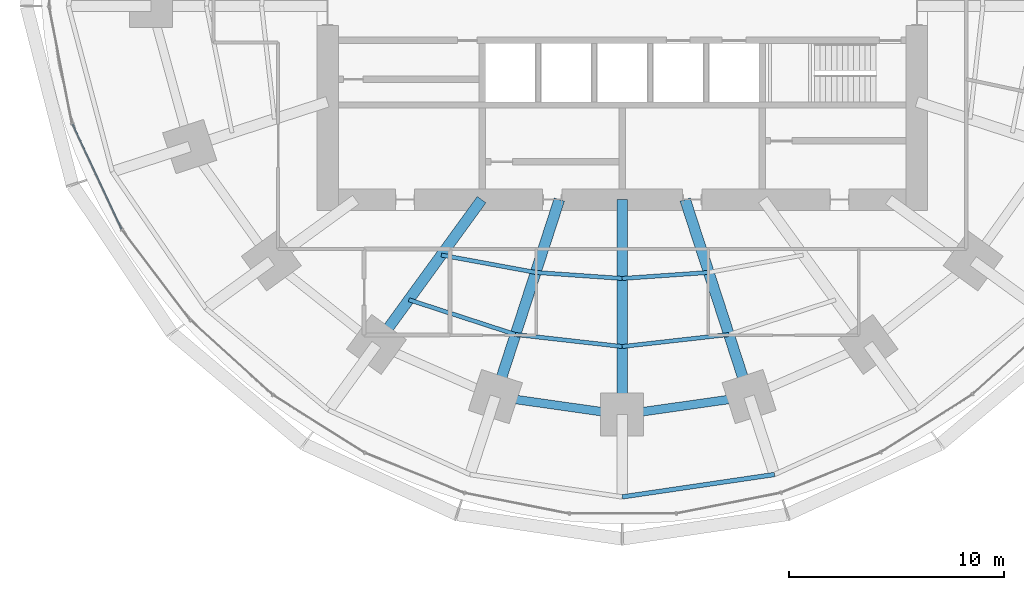
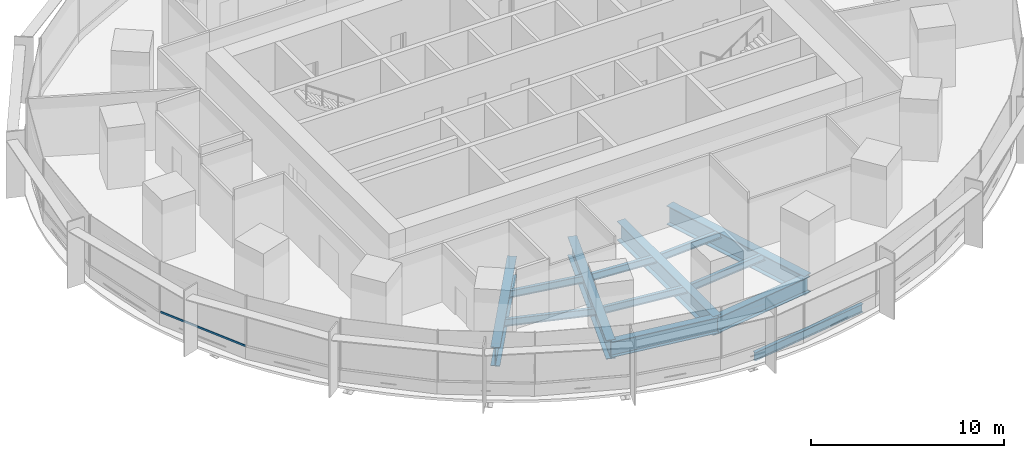
# One storey, part 3 of 15: 13 beams, 1 member, 1 element without a shape of its own.
"""IFC4 building model written with IfcOpenShell, lengths in metres."""

from ifc_helpers import new_model, si_unit, direction, frame, origin, origin_2d, place, context, subcontext, project, spatial, rectangle, i_section, extrude, material, material_profile, profile_set, type_object, element, aggregate, save


model = new_model("IFC4")

# Units and contexts
model_context = context("Model", 3, precision=1e-05, world=origin(), true_north=direction((0.0, 1.0)))
body_context = subcontext(model_context, "Body", "Model", "MODEL_VIEW")
ifc_project = project(units=[si_unit("LENGTHUNIT", "METRE"), si_unit("AREAUNIT", "SQUARE_METRE"), si_unit("VOLUMEUNIT", "CUBIC_METRE"), si_unit("PLANEANGLEUNIT", "RADIAN"), si_unit("MASSUNIT", "GRAM", prefix="KILO")], contexts=[model_context])

# Site, building, storey
site_placement = place(None, origin())
site = spatial("IfcSite", under=ifc_project, at=site_placement, CompositionType="ELEMENT")
building_placement = place(site_placement, origin())
building = spatial("IfcBuilding", under=site, at=building_placement, Name="Marramba Exchange Tower", CompositionType="ELEMENT")
storey_placement = place(building_placement, frame((0.0, 0.0, 40.60009765625)))
storey = spatial("IfcBuildingStorey", under=building, at=storey_placement, Name="L09", CompositionType="ELEMENT", Elevation=40.60009765625)

# Beams
ifc_material_1 = material(Name="Steel AS/NZS 3679.1 grade 300", Category="steel")
ifc_material_profile_1 = material_profile(ifc_material_1, i_section(OverallWidth=0.18994140625, OverallDepth=0.4541015625, WebThickness=0.008544921875, FlangeThickness=0.0126953125, FilletRadius=0.011474609375, at=origin_2d()), Name="460UB67.1")
ifc_profile_set_1 = profile_set([ifc_material_profile_1], Name="Steel AS/NZS 3679.1 grade 300")
beam_type_1 = type_object("IfcBeamType", Name="Floor joist 460UB67.1", PredefinedType="JOIST", material=ifc_profile_set_1)
beam_1_placement = place(storey_placement, frame((-8.41162109375, -11.57763671875, -0.38720703125), z_axis=(0.983455754421, -0.181148500119, 0.0), x_axis=(0.181148500119, 0.983455754421, 0.0)))
element("IfcBeam", 1, at=beam_1_placement, inside=storey, type_object=beam_type_1, Name="Joist L09 bay 14 row 1", PredefinedType="JOIST", context=body_context, shape_type="SweptSolid", body=[
    extrude(i_section(OverallWidth=0.18994140625, OverallDepth=0.4541015625, WebThickness=0.008544921875, FlangeThickness=0.0126953125, FilletRadius=0.011474609375, at=origin_2d()), origin(), (0.0, 0.0, 1.0), 4.4609375),
])
beam_2_placement = place(storey_placement, frame((-9.9208984375, -13.655029296875, -0.38720703125), z_axis=(0.950764024931, -0.309915744834, 0.0), x_axis=(0.309915744834, 0.950764024931, 0.0)))
element("IfcBeam", 2, at=beam_2_placement, inside=storey, type_object=beam_type_1, Name="Joist L09 bay 14 row 2", PredefinedType="JOIST", context=body_context, shape_type="SweptSolid", body=[
    extrude(i_section(OverallWidth=0.18994140625, OverallDepth=0.4541015625, WebThickness=0.008544921875, FlangeThickness=0.0126953125, FilletRadius=0.011474609375, at=origin_2d()), origin(), (0.0, 0.0, 1.0), 5.2158203125),
])
beam_3_placement = place(storey_placement, frame((-4.0244140625, -12.3857421875, -0.38720703125), z_axis=(0.99759625901, -0.069294328838, 0.0), x_axis=(0.069294328838, 0.99759625901, 0.0)))
element("IfcBeam", 3, at=beam_3_placement, inside=storey, type_object=beam_type_1, Name="Joist L09 bay 15 row 1", PredefinedType="JOIST", context=body_context, shape_type="SweptSolid", body=[
    extrude(i_section(OverallWidth=0.18994140625, OverallDepth=0.4541015625, WebThickness=0.008544921875, FlangeThickness=0.0126953125, FilletRadius=0.011474609375, at=origin_2d()), origin(), (0.0, 0.0, 1.0), 4.0341796875),
])
beam_4_placement = place(storey_placement, frame((-4.9619140625, -15.271484375, -0.38720703125), z_axis=(0.993712018573, -0.111966174106, 0.0), x_axis=(0.111966174106, 0.993712018573, 0.0)))
element("IfcBeam", 4, at=beam_4_placement, inside=storey, type_object=beam_type_1, Name="Joist L09 bay 15 row 2", PredefinedType="JOIST", context=body_context, shape_type="SweptSolid", body=[
    extrude(i_section(OverallWidth=0.18994140625, OverallDepth=0.4541015625, WebThickness=0.008544921875, FlangeThickness=0.0126953125, FilletRadius=0.011474609375, at=origin_2d()), origin(), (0.0, 0.0, 1.0), 4.993408203125),
])
beam_5_placement = place(storey_placement, frame((0.0, -12.665283203125, -0.38720703125), z_axis=(0.99759625901, 0.069294328838, 0.0), x_axis=(-0.069294328838, 0.99759625901, 0.0)))
element("IfcBeam", 5, at=beam_5_placement, inside=storey, type_object=beam_type_1, Name="Joist L09 bay 16 row 1", PredefinedType="JOIST", context=body_context, shape_type="SweptSolid", body=[
    extrude(i_section(OverallWidth=0.18994140625, OverallDepth=0.4541015625, WebThickness=0.008544921875, FlangeThickness=0.0126953125, FilletRadius=0.011474609375, at=origin_2d()), origin(), (0.0, 0.0, 1.0), 4.0341796875),
])
beam_6_placement = place(storey_placement, frame((0.0, -15.83056640625, -0.38720703125), z_axis=(0.993712018573, 0.111966174106, 0.0), x_axis=(-0.111966174106, 0.993712018573, 0.0)))
element("IfcBeam", 6, at=beam_6_placement, inside=storey, type_object=beam_type_1, Name="Joist L09 bay 16 row 2", PredefinedType="JOIST", context=body_context, shape_type="SweptSolid", body=[
    extrude(i_section(OverallWidth=0.18994140625, OverallDepth=0.4541015625, WebThickness=0.008544921875, FlangeThickness=0.0126953125, FilletRadius=0.011474609375, at=origin_2d()), origin(), (0.0, 0.0, 1.0), 4.993408203125),
])
ifc_material_2 = material(Name="Steel AS/NZS 3679.2 grade 300", Category="steel")
ifc_material_profile_2 = material_profile(ifc_material_2, i_section(OverallWidth=0.5, OverallDepth=1.199951171875, WebThickness=0.01611328125, FlangeThickness=0.0400390625, at=origin_2d()), Name="1200WB455")
ifc_profile_set_2 = profile_set([ifc_material_profile_2], Name="Steel AS/NZS 3679.2 grade 300")
beam_type_2 = type_object("IfcBeamType", Name="Radial girder 1200WB455", PredefinedType="BEAM", material=ifc_profile_set_2)
beam_7_placement = place(storey_placement, frame((-6.538818359375, -9.0, -0.760009765625), z_axis=(-0.587787877172, -0.809015087282, 0.0), x_axis=(0.809015087282, -0.587787877172, 0.0)))
element("IfcBeam", 7, at=beam_7_placement, inside=storey, type_object=beam_type_2, Name="Radial girder L09 TC14", PredefinedType="BEAM", context=body_context, shape_type="SweptSolid", body=[
    extrude(i_section(OverallWidth=0.5, OverallDepth=1.199951171875, WebThickness=0.01611328125, FlangeThickness=0.0400390625, at=origin_2d()), origin(), (0.0, 0.0, 1.0), 8.322021484375),
])
beam_8_placement = place(storey_placement, frame((-2.92431640625, -9.0, -0.760009765625), z_axis=(-0.309022428985, -0.951054750466, 0.0), x_axis=(0.951054750466, -0.309022428985, 0.0)))
element("IfcBeam", 8, at=beam_8_placement, inside=storey, type_object=beam_type_2, Name="Radial girder L09 TC15", PredefinedType="BEAM", context=body_context, shape_type="SweptSolid", body=[
    extrude(i_section(OverallWidth=0.5, OverallDepth=1.199951171875, WebThickness=0.01611328125, FlangeThickness=0.0400390625, at=origin_2d()), origin(), (0.0, 0.0, 1.0), 9.628173828125),
])
beam_9_placement = place(storey_placement, frame((0.0, -9.0, -0.760009765625), z_axis=(0.0, -1.0, 0.0), x_axis=(1.0, 0.0, 0.0)))
element("IfcBeam", 9, at=beam_9_placement, inside=storey, type_object=beam_type_2, Name="Radial girder L09 TC16", PredefinedType="BEAM", context=body_context, shape_type="SweptSolid", body=[
    extrude(i_section(OverallWidth=0.5, OverallDepth=1.199951171875, WebThickness=0.01611328125, FlangeThickness=0.0400390625, at=origin_2d()), origin(), (0.0, 0.0, 1.0), 9.99609375),
])
beam_10_placement = place(storey_placement, frame((2.92431640625, -9.0, -0.760009765625), z_axis=(0.309022428985, -0.951054750466, 0.0), x_axis=(0.951054750466, 0.309022428985, 0.0)))
element("IfcBeam", 10, at=beam_10_placement, inside=storey, type_object=beam_type_2, Name="Radial girder L09 TC17", PredefinedType="BEAM", context=body_context, shape_type="SweptSolid", body=[
    extrude(i_section(OverallWidth=0.5, OverallDepth=1.199951171875, WebThickness=0.01611328125, FlangeThickness=0.0400390625, at=origin_2d()), origin(), (0.0, 0.0, 1.0), 9.628173828125),
])
ifc_material_profile_3 = material_profile(ifc_material_2, i_section(OverallWidth=0.39990234375, OverallDepth=1.0, WebThickness=0.01611328125, FlangeThickness=0.031982421875, at=origin_2d()), Name="1000WB322")
ifc_profile_set_3 = profile_set([ifc_material_profile_3], Name="Steel AS/NZS 3679.2 grade 300")
beam_type_3 = type_object("IfcBeamType", Name="Ring beam 1000WB322", PredefinedType="SPANDREL", material=ifc_profile_set_3)
for number, where, z_axis, x_axis, name in (
    (11, (-5.899658203125, -18.156982421875, -0.66015625), (0.990036163016, -0.140813337152, 0.0), (0.140813337152, 0.990036163016, 0.0), "Ring beam L09 TC15-TC16"),
    (12, (0.0, -18.99609375, -0.66015625), (0.990036163016, 0.140813337152, 0.0), (-0.140813337152, 0.990036163016, 0.0), "Ring beam L09 TC16-TC17"),
):
    element("IfcBeam", number, at=place(storey_placement, frame(where, z_axis=z_axis, x_axis=x_axis)), inside=storey, type_object=beam_type_3, Name=name, PredefinedType="SPANDREL", context=body_context, shape_type="SweptSolid", body=[
        extrude(i_section(OverallWidth=0.39990234375, OverallDepth=1.0, WebThickness=0.01611328125, FlangeThickness=0.031982421875, at=origin_2d()), origin(), (0.0, 0.0, 1.0), 5.958984375),
    ])
ifc_material_profile_4 = material_profile(ifc_material_1, i_section(OverallWidth=0.208984375, OverallDepth=0.528076171875, WebThickness=0.009521484375, FlangeThickness=0.01318359375, FilletRadius=0.013916015625, at=origin_2d()), Name="530UB82.0")
ifc_profile_set_4 = profile_set([ifc_material_profile_4], Name="Steel AS/NZS 3679.1 grade 300")
beam_type_4 = type_object("IfcBeamType", Name="Slab edge beam 530UB82.0", PredefinedType="SPANDREL", material=ifc_profile_set_4)
beam_11_placement = place(storey_placement, frame((0.0, -22.822021484375, -0.424072265625), z_axis=(0.989338462178, 0.145634498848, 0.0), x_axis=(-0.145634498848, 0.989338462178, 0.0)))
element("IfcBeam", 13, at=beam_11_placement, inside=storey, type_object=beam_type_4, Name="Slab edge beam L09 TC16-TC17", PredefinedType="SPANDREL", context=body_context, shape_type="SweptSolid", body=[
    extrude(i_section(OverallWidth=0.208984375, OverallDepth=0.528076171875, WebThickness=0.009521484375, FlangeThickness=0.01318359375, FilletRadius=0.013916015625, at=origin_2d()), origin(), (0.0, 0.0, 1.0), 7.153076171875),
])

# Curtain wall, member
ifc_material_3 = material(Name="Aluminium framing, bronze anodised", Category="aluminium")
curtain_wall_type = type_object("IfcCurtainWallType", Name="Trading floor ribbon curtain wall", PredefinedType="USERDEFINED", material=ifc_material_3)
curtain_wall_placement = place(storey_placement, origin())
curtain_wall = element("IfcCurtainWall", 14, at=curtain_wall_placement, inside=storey, type_object=curtain_wall_type, Name="Curtain wall CW3 L09 F16-F20", ObjectType="RIBBON CURTAIN WALL", PredefinedType="USERDEFINED")
ifc_material_4 = material(Name="Aluminium transom, bronze anodised", Category="aluminium")
ifc_material_profile_5 = material_profile(ifc_material_4, rectangle(XDim=0.06005859375, YDim=0.1201171875, at=origin_2d()), Name="CW3 transom 60x120")
ifc_profile_set_5 = profile_set([ifc_material_profile_5], Name="Aluminium transom, bronze anodised")
member_type = type_object("IfcMemberType", Name="Trading floor ribbon curtain wall transom", PredefinedType="USERDEFINED", material=ifc_profile_set_5)
member_placement = place(storey_placement, frame((-25.559326171875, -5.492431640625, 0.829833984375), z_axis=(0.423494101671, -0.905898860718, 0.0), x_axis=(0.905898860718, 0.423494101671, 0.0)))
member = element("IfcMember", 15, at=member_placement, type_object=member_type, Name="CW3 sill transom", ObjectType="TRANSOM", PredefinedType="USERDEFINED", context=body_context, shape_type="SweptSolid", body=[
    extrude(rectangle(XDim=0.06005859375, YDim=0.1201171875, at=origin_2d()), origin(), (0.0, 0.0, 1.0), 5.379150390625),
])
aggregate(curtain_wall, [member])

save(model, "model.ifc")
